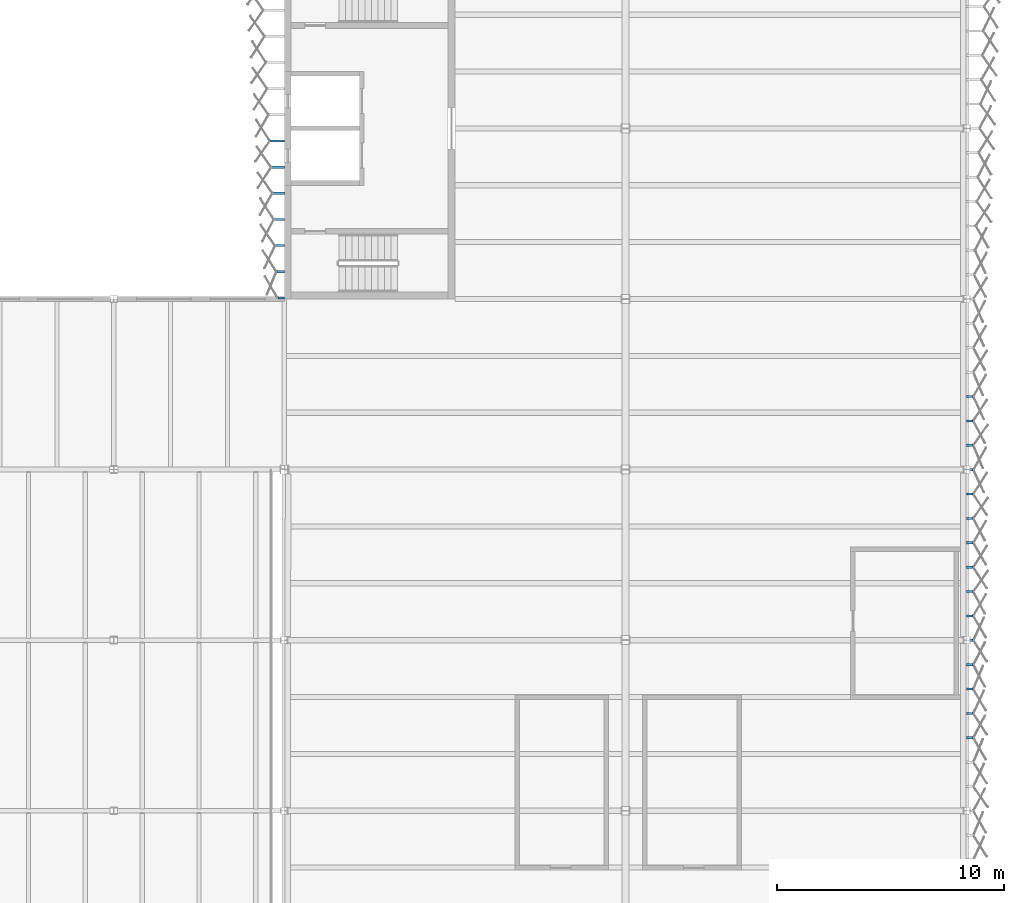
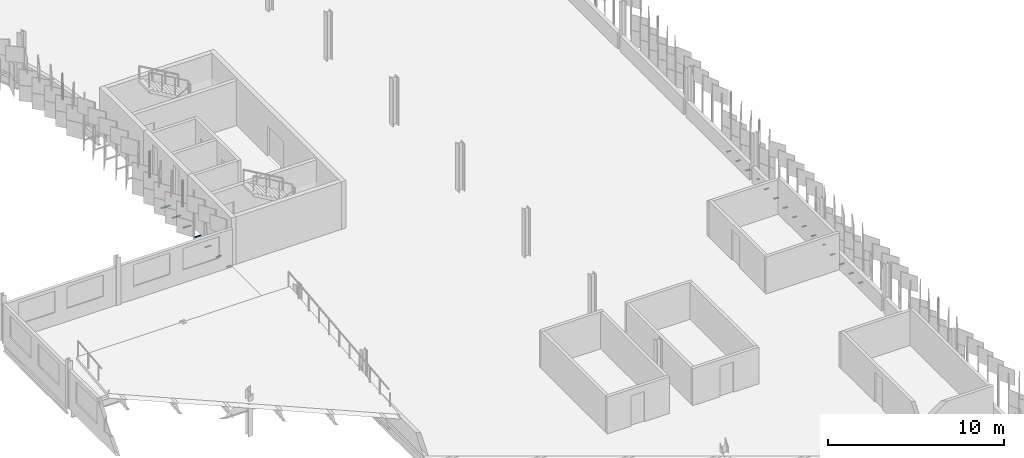
# One storey, part 168 of 198: 22 discrete accessories.
"""IFC4 building model written with IfcOpenShell, lengths in metres."""

import ifcopenshell
import ifcopenshell.guid

model = None  # the IFC model being written
_history = None  # IfcOwnerHistory: only IFC2X3 demands one
_inside = {}  # id of a spatial element -> (the spatial element, [elements in it])
_under = {}  # id of a project, library or spatial element -> (it, [spatial elements below it])
_declared = {}  # id of a project -> (the project, [libraries it declares])
_typed = {}  # id of a type object -> (the type object, [elements of that type])
_made_of = {}  # id of a material, layer set ... -> (it, [elements and type objects made of it])


def new_model(schema):
    """Start an empty IFC model of exactly this schema.

    Asked for "IFC4X3", IfcOpenShell would pick the latest addendum, in which some entities
    have other attributes; the version numbers below select the first issue.
    IFC2X3 requires an IfcOwnerHistory on every rooted entity: one is made here for all.
    """
    global model, _history
    if schema == "IFC4X3":
        model = ifcopenshell.file(schema_version=(4, 3, 0, 0))
    else:
        model = ifcopenshell.file(schema=schema)
    _inside.clear()
    _under.clear()
    _declared.clear()
    _typed.clear()
    _made_of.clear()
    _history = None
    if model.schema == "IFC2X3":
        org = make("IfcOrganization", Name="unknown")
        user = make(
            "IfcPersonAndOrganization",
            ThePerson=make("IfcPerson", FamilyName="unknown"),
            TheOrganization=org,
        )
        app = make(
            "IfcApplication",
            ApplicationDeveloper=org,
            Version="unknown",
            ApplicationFullName="unknown",
            ApplicationIdentifier="unknown",
        )
        _history = make(
            "IfcOwnerHistory",
            OwningUser=user,
            OwningApplication=app,
            ChangeAction="ADDED",
            CreationDate=0,
        )
    return model


def make(cls, **values):
    """One entity of the class cls with the attributes given. An attribute that is None is left unset."""
    return model.create_entity(
        cls, **{name: value for name, value in values.items() if value is not None}
    )


def rooted(cls, **values):
    """An entity with a GlobalId (a new one), such as an element, a storey or a relation."""
    return make(cls, GlobalId=ifcopenshell.guid.new(), OwnerHistory=_history, **values)


def si_unit(unit_type, name, prefix=None):
    """IfcSIUnit, for example si_unit("LENGTHUNIT", "METRE", prefix="MILLI")."""
    return make("IfcSIUnit", UnitType=unit_type, Prefix=prefix, Name=name)


def assignment(units):
    """IfcUnitAssignment: the units of a project."""
    return None if units is None else make("IfcUnitAssignment", Units=units)


def point(xyz):
    """IfcCartesianPoint."""
    return None if xyz is None else make("IfcCartesianPoint", Coordinates=xyz)


def direction(xyz):
    """IfcDirection."""
    return None if xyz is None else make("IfcDirection", DirectionRatios=xyz)


def frame(location, z_axis=None, x_axis=None):
    """IfcAxis2Placement3D, a coordinate frame: its origin and axes. An axis left out is left unset."""
    return make(
        "IfcAxis2Placement3D",
        Location=point(location),
        Axis=direction(z_axis),
        RefDirection=direction(x_axis),
    )


def frame_2d(location, x_axis=None):
    """IfcAxis2Placement2D, a coordinate frame in the plane: its origin and x axis."""
    return make(
        "IfcAxis2Placement2D", Location=point(location), RefDirection=direction(x_axis)
    )


def origin():
    """The frame at (0, 0, 0) with its axes left unset."""
    return frame((0.0, 0.0, 0.0))


def origin_2d():
    """The frame at (0, 0) in the plane with its x axis left unset."""
    return frame_2d((0.0, 0.0))


def place(relative_to, where):
    """IfcLocalPlacement: puts the frame where relative to a parent placement (None: the world)."""
    return make(
        "IfcLocalPlacement", PlacementRelTo=relative_to, RelativePlacement=where
    )


def context(
    kind, dimensions, precision=None, world=None, true_north=None, identifier=None
):
    """IfcGeometricRepresentationContext, for example the 3D "Model" context."""
    return make(
        "IfcGeometricRepresentationContext",
        ContextIdentifier=identifier,
        ContextType=kind,
        CoordinateSpaceDimension=dimensions,
        Precision=precision,
        WorldCoordinateSystem=world,
        TrueNorth=true_north,
    )


def subcontext(parent, identifier, kind, view, scale=None):
    """IfcGeometricRepresentationSubContext, for example "Body" below "Model"."""
    return make(
        "IfcGeometricRepresentationSubContext",
        ContextIdentifier=identifier,
        ContextType=kind,
        ParentContext=parent,
        TargetScale=scale,
        TargetView=view,
    )


def project(units=None, contexts=None):
    """IfcProject with its units and contexts."""
    return rooted(
        "IfcProject",
        Name="project",
        RepresentationContexts=contexts,
        UnitsInContext=assignment(units),
    )


def spatial(cls, under=None, at=None, **own):
    """A site, building, storey or space (cls), placed at a placement, below another one or the project."""
    s = rooted(cls, ObjectPlacement=at, **own)
    if under is not None:
        _under.setdefault(under.id(), (under, []))[1].append(s)
    return s


def profile(cls, at=None, kind="AREA", **sizes):
    """A parametric profile (cls). Its sizes go by their IFC names, for example OverallWidth=200.0."""
    return make(cls, ProfileType=kind, Position=at, **sizes)


def rectangle(**sizes):
    """IfcRectangleProfileDef."""
    return profile("IfcRectangleProfileDef", **sizes)


def extrude(swept, where, along, depth):
    """IfcExtrudedAreaSolid: the profile swept, set in the frame where, extruded along a direction by depth."""
    return make(
        "IfcExtrudedAreaSolid",
        SweptArea=swept,
        Position=where,
        ExtrudedDirection=direction(along),
        Depth=depth,
    )


def shape(context_of_items, identifier, shape_type, items):
    """IfcShapeRepresentation: the items that make up one representation, for example the "Body"."""
    return make(
        "IfcShapeRepresentation",
        ContextOfItems=context_of_items,
        RepresentationIdentifier=identifier,
        RepresentationType=shape_type,
        Items=items,
    )


def material(Name=None, Category=None):
    """IfcMaterial."""
    return make("IfcMaterial", Name=Name, Category=Category)


def made_of(thing, what):
    """Note that an element or type object is made of a material, layer set ...; save() writes the relation."""
    if what is not None:
        _made_of.setdefault(what.id(), (what, []))[1].append(thing)
    return thing


def type_object(cls, material=None, **own):
    """A type object (cls), such as IfcWallType, which elements share."""
    return made_of(rooted(cls, **own), material)


def element(
    cls,
    number,
    at=None,
    inside=None,
    cuts=None,
    type_object=None,
    material=None,
    context=None,
    identifier="Body",
    shape_type=None,
    held_by="IfcProductDefinitionShape",
    body=None,
    shapes=None,
    **own,
):
    """One element of the class cls, such as IfcWall. Its Tag is "e" and its number.

    at: its placement. inside: the storey or other place that contains it. cuts: it is an
    opening in that element (IfcRelVoidsElement). A single representation is given by context,
    identifier, shape_type and body (its items); several are given by shapes. held_by: the class
    of the entity that holds the representations. save() writes the other relations.
    """
    e = rooted(cls, Tag="e%d" % number, ObjectPlacement=at, **own)
    if body is not None:
        shapes = [shape(context, identifier, shape_type, body)]
    if shapes is not None:
        e.Representation = make(held_by, Representations=shapes)
    if inside is not None:
        _inside.setdefault(inside.id(), (inside, []))[1].append(e)
    if cuts is not None:
        rooted(
            "IfcRelVoidsElement", RelatingBuildingElement=cuts, RelatedOpeningElement=e
        )
    if type_object is not None:
        _typed.setdefault(type_object.id(), (type_object, []))[1].append(e)
    return made_of(e, material)


def aggregate(whole, parts):
    """IfcRelAggregates: a whole, such as a stair, and the parts it consists of."""
    return rooted("IfcRelAggregates", RelatingObject=whole, RelatedObjects=parts)


def save(model, path):
    """Write the relations noted so far, then the file.

    IfcRelAggregates (storeys below a building ...), IfcRelContainedInSpatialStructure (elements
    in a storey), IfcRelDefinesByType, IfcRelAssociatesMaterial and IfcRelDeclares: one each for
    every whole, place, type object, material and project.
    """
    for whole, parts in _under.values():
        aggregate(whole, parts)
    for where, things in _inside.values():
        rooted(
            "IfcRelContainedInSpatialStructure",
            RelatedElements=things,
            RelatingStructure=where,
        )
    for kind, things in _typed.values():
        rooted("IfcRelDefinesByType", RelatedObjects=things, RelatingType=kind)
    for what, things in _made_of.values():
        rooted("IfcRelAssociatesMaterial", RelatedObjects=things, RelatingMaterial=what)
    for by, libraries in _declared.values():
        rooted("IfcRelDeclares", RelatingContext=by, RelatedDefinitions=libraries)
    model.write(path)


model = new_model("IFC4")

# Units and contexts
model_context = context("Model", 3, precision=1e-05, world=origin(), true_north=direction((0.0, 1.0)))
body_context = subcontext(model_context, "Body", "Model", "MODEL_VIEW")
ifc_project = project(units=[si_unit("LENGTHUNIT", "METRE"), si_unit("AREAUNIT", "SQUARE_METRE"), si_unit("VOLUMEUNIT", "CUBIC_METRE"), si_unit("PLANEANGLEUNIT", "RADIAN"), si_unit("MASSUNIT", "GRAM", prefix="KILO")], contexts=[model_context])

# Site, building, storey
site_placement = place(None, origin())
site = spatial("IfcSite", under=ifc_project, at=site_placement, CompositionType="ELEMENT")
building_placement = place(site_placement, origin())
building = spatial("IfcBuilding", under=site, at=building_placement, Name="Parallax Yard Mobility Hub", CompositionType="ELEMENT")
storey_placement = place(building_placement, frame((0.0, 0.0, 6.60009765625)))
storey = spatial("IfcBuildingStorey", under=building, at=storey_placement, Name="L02", CompositionType="ELEMENT", Elevation=6.60009765625)

# Discrete accessories
ifc_material = material(Name="Steel ASTM A36, hot-dip galvanised", Category="steel")
discrete_accessory_type = type_object("IfcDiscreteAccessoryType", Name="Hinge bracket plate 100x50", PredefinedType="BRACKET", material=ifc_material)
for number, where, z_axis, x_axis, name in (
    (1, (225.1416015625, 55.70703125, -0.02490234375), (0.0, 0.0, 1.0), (1.0, 0.0, 0.0), "Hinge bracket plate bay 36.4 level L02"),
    (2, (225.1416015625, 56.77880859375, -0.02490234375), (0.0, 0.0, 1.0), (1.0, 0.0, 0.0), "Hinge bracket plate bay 36.5 level L02"),
    (3, (225.1416015625, 57.8505859375, -0.02490234375), (0.0, 0.0, 1.0), (1.0, 0.0, 0.0), "Hinge bracket plate bay 36.6 level L02"),
    (4, (225.1416015625, 58.922119140625, -0.02490234375), (0.0, 0.0, 1.0), (1.0, 0.0, 0.0), "Hinge bracket plate bay 36.7 level L02"),
):
    element("IfcDiscreteAccessory", number, at=place(storey_placement, frame(where, z_axis=z_axis, x_axis=x_axis)), inside=storey, type_object=discrete_accessory_type, Name=name, PredefinedType="BRACKET", context=body_context, shape_type="SweptSolid", body=[
        extrude(rectangle(XDim=0.2841796875, YDim=0.10009765625, at=origin_2d()), origin(), (0.0, 0.0, 1.0), 0.050048828125),
    ])
discrete_accessory_1_placement = place(storey_placement, frame((225.21826171875, 59.993896484375, -0.02490234375), z_axis=(0.0, 0.0, 1.0), x_axis=(1.0, 0.0, 0.0)))
element("IfcDiscreteAccessory", 5, at=discrete_accessory_1_placement, inside=storey, type_object=discrete_accessory_type, Name="Hinge bracket plate bay 37.1 level L02", PredefinedType="BRACKET", context=body_context, shape_type="SweptSolid", body=[
    extrude(rectangle(XDim=0.130615234375, YDim=0.10009765625, at=origin_2d()), origin(), (0.0, 0.0, 1.0), 0.050048828125),
])
for number, where, z_axis, x_axis, name in (
    (6, (225.1416015625, 61.065673828125, -0.02490234375), (0.0, 0.0, 1.0), (1.0, 0.0, 0.0), "Hinge bracket plate bay 37.2 level L02"),
    (7, (225.1416015625, 62.137451171875, -0.02490234375), (0.0, 0.0, 1.0), (1.0, 0.0, 0.0), "Hinge bracket plate bay 37.3 level L02"),
    (8, (225.1416015625, 63.209228515625, -0.02490234375), (0.0, 0.0, 1.0), (1.0, 0.0, 0.0), "Hinge bracket plate bay 37.4 level L02"),
    (9, (225.1416015625, 64.281005859375, -0.02490234375), (0.0, 0.0, 1.0), (1.0, 0.0, 0.0), "Hinge bracket plate bay 37.5 level L02"),
    (10, (225.1416015625, 65.3525390625, -0.02490234375), (0.0, 0.0, 1.0), (1.0, 0.0, 0.0), "Hinge bracket plate bay 37.6 level L02"),
    (11, (225.1416015625, 66.42431640625, -0.02490234375), (0.0, 0.0, 1.0), (1.0, 0.0, 0.0), "Hinge bracket plate bay 37.7 level L02"),
):
    element("IfcDiscreteAccessory", number, at=place(storey_placement, frame(where, z_axis=z_axis, x_axis=x_axis)), inside=storey, type_object=discrete_accessory_type, Name=name, PredefinedType="BRACKET", context=body_context, shape_type="SweptSolid", body=[
        extrude(rectangle(XDim=0.2841796875, YDim=0.10009765625, at=origin_2d()), origin(), (0.0, 0.0, 1.0), 0.050048828125),
    ])
discrete_accessory_2_placement = place(storey_placement, frame((225.21826171875, 67.49609375, -0.02490234375), z_axis=(0.0, 0.0, 1.0), x_axis=(1.0, 0.0, 0.0)))
element("IfcDiscreteAccessory", 12, at=discrete_accessory_2_placement, inside=storey, type_object=discrete_accessory_type, Name="Hinge bracket plate bay 38.1 level L02", PredefinedType="BRACKET", context=body_context, shape_type="SweptSolid", body=[
    extrude(rectangle(XDim=0.130615234375, YDim=0.10009765625, at=origin_2d()), origin(), (0.0, 0.0, 1.0), 0.050048828125),
])
for number, where, z_axis, x_axis, name in (
    (13, (225.1416015625, 68.56787109375, -0.02490234375), (0.0, 0.0, 1.0), (1.0, 0.0, 0.0), "Hinge bracket plate bay 38.2 level L02"),
    (14, (225.1416015625, 69.639404296875, -0.02490234375), (0.0, 0.0, 1.0), (1.0, 0.0, 0.0), "Hinge bracket plate bay 38.3 level L02"),
    (15, (225.1416015625, 70.711181640625, -0.02490234375), (0.0, 0.0, 1.0), (1.0, 0.0, 0.0), "Hinge bracket plate bay 38.4 level L02"),
):
    element("IfcDiscreteAccessory", number, at=place(storey_placement, frame(where, z_axis=z_axis, x_axis=x_axis)), inside=storey, type_object=discrete_accessory_type, Name=name, PredefinedType="BRACKET", context=body_context, shape_type="SweptSolid", body=[
        extrude(rectangle(XDim=0.2841796875, YDim=0.10009765625, at=origin_2d()), origin(), (0.0, 0.0, 1.0), 0.050048828125),
    ])
discrete_accessory_3_placement = place(storey_placement, frame((194.69091796875, 81.948486328125, -0.02490234375), z_axis=(0.0, 0.0, 1.0), x_axis=(-1.0, 0.0, 0.0)))
element("IfcDiscreteAccessory", 16, at=discrete_accessory_3_placement, inside=storey, type_object=discrete_accessory_type, Name="Hinge bracket plate bay 23.8 level L02", PredefinedType="BRACKET", context=body_context, shape_type="SweptSolid", body=[
    extrude(rectangle(XDim=0.619384765625, YDim=0.10009765625, at=origin_2d()), origin(), (0.0, 0.0, 1.0), 0.050048828125),
])
discrete_accessory_4_placement = place(storey_placement, frame((194.719482421875, 80.798095703125, -0.02490234375), z_axis=(0.0, 0.0, 1.0), x_axis=(-1.0, 0.0, 0.0)))
element("IfcDiscreteAccessory", 17, at=discrete_accessory_4_placement, inside=storey, type_object=discrete_accessory_type, Name="Hinge bracket plate bay 23.9 level L02", PredefinedType="BRACKET", context=body_context, shape_type="SweptSolid", body=[
    extrude(rectangle(XDim=0.56201171875, YDim=0.10009765625, at=origin_2d()), origin(), (0.0, 0.0, 1.0), 0.050048828125),
])
discrete_accessory_5_placement = place(storey_placement, frame((194.748291015625, 79.64794921875, -0.02490234375), z_axis=(0.0, 0.0, 1.0), x_axis=(-1.0, 0.0, 0.0)))
element("IfcDiscreteAccessory", 18, at=discrete_accessory_5_placement, inside=storey, type_object=discrete_accessory_type, Name="Hinge bracket plate bay 23.10 level L02", PredefinedType="BRACKET", context=body_context, shape_type="SweptSolid", body=[
    extrude(rectangle(XDim=0.50439453125, YDim=0.10009765625, at=origin_2d()), origin(), (0.0, 0.0, 1.0), 0.050048828125),
])
discrete_accessory_6_placement = place(storey_placement, frame((194.777099609375, 78.497802734375, -0.02490234375), z_axis=(0.0, 0.0, 1.0), x_axis=(-1.0, 0.0, 0.0)))
element("IfcDiscreteAccessory", 19, at=discrete_accessory_6_placement, inside=storey, type_object=discrete_accessory_type, Name="Hinge bracket plate bay 23.11 level L02", PredefinedType="BRACKET", context=body_context, shape_type="SweptSolid", body=[
    extrude(rectangle(XDim=0.447021484375, YDim=0.10009765625, at=origin_2d()), origin(), (0.0, 0.0, 1.0), 0.050048828125),
])
discrete_accessory_7_placement = place(storey_placement, frame((194.805908203125, 77.34765625, -0.02490234375), z_axis=(0.0, 0.0, 1.0), x_axis=(-1.0, 0.0, 0.0)))
element("IfcDiscreteAccessory", 20, at=discrete_accessory_7_placement, inside=storey, type_object=discrete_accessory_type, Name="Hinge bracket plate bay 23.12 level L02", PredefinedType="BRACKET", context=body_context, shape_type="SweptSolid", body=[
    extrude(rectangle(XDim=0.389404296875, YDim=0.10009765625, at=origin_2d()), origin(), (0.0, 0.0, 1.0), 0.050048828125),
])
discrete_accessory_8_placement = place(storey_placement, frame((194.834716796875, 76.197509765625, -0.02490234375), z_axis=(0.0, 0.0, 1.0), x_axis=(-1.0, 0.0, 0.0)))
element("IfcDiscreteAccessory", 21, at=discrete_accessory_8_placement, inside=storey, type_object=discrete_accessory_type, Name="Hinge bracket plate bay 23.13 level L02", PredefinedType="BRACKET", context=body_context, shape_type="SweptSolid", body=[
    extrude(rectangle(XDim=0.331787109375, YDim=0.10009765625, at=origin_2d()), origin(), (0.0, 0.0, 1.0), 0.050048828125),
])
discrete_accessory_9_placement = place(storey_placement, frame((194.8583984375, 75.047119140625, -0.02490234375), z_axis=(0.0, 0.0, 1.0), x_axis=(-1.0, 0.0, 0.0)))
element("IfcDiscreteAccessory", 22, at=discrete_accessory_9_placement, inside=storey, type_object=discrete_accessory_type, Name="Hinge bracket plate bay 23.14 level L02", PredefinedType="BRACKET", context=body_context, shape_type="SweptSolid", body=[
    extrude(rectangle(XDim=0.2841796875, YDim=0.10009765625, at=origin_2d()), origin(), (0.0, 0.0, 1.0), 0.050048828125),
])

save(model, "model.ifc")
